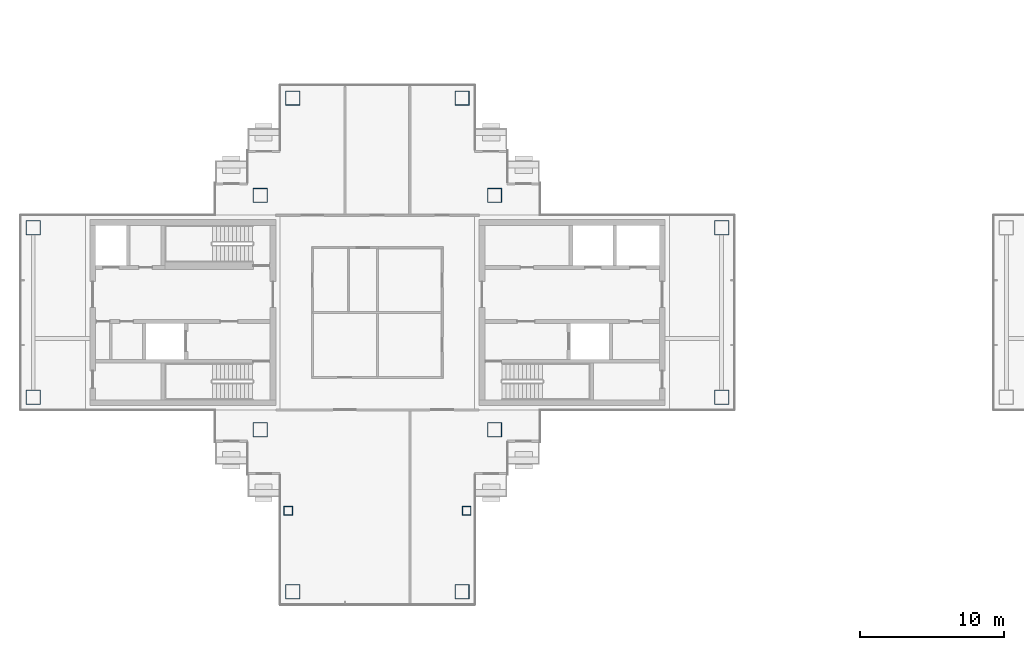
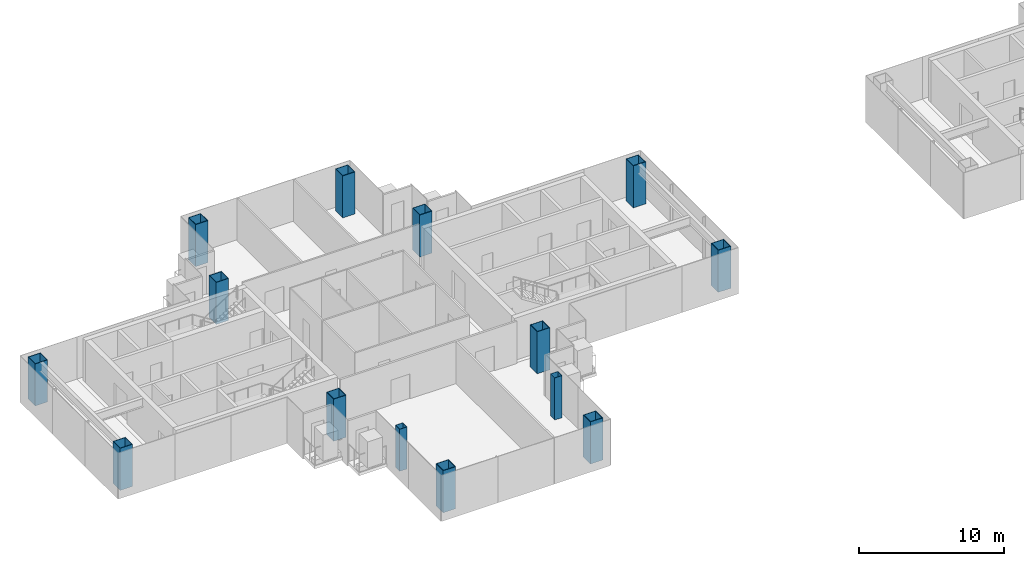
# One storey, part 1 of 15: 14 columns.
"""IFC4 building model written with IfcOpenShell, lengths in metres."""

from ifc_helpers import new_model, si_unit, direction, frame, origin, origin_2d, place, context, subcontext, project, spatial, hollow_rectangle, extrude, material, material_profile, profile_set, type_object, element, save


model = new_model("IFC4")

# Units and contexts
model_context = context("Model", 3, precision=1e-05, world=origin(), true_north=direction((0.0, 1.0)))
body_context = subcontext(model_context, "Body", "Model", "MODEL_VIEW")
ifc_project = project(units=[si_unit("LENGTHUNIT", "METRE"), si_unit("AREAUNIT", "SQUARE_METRE"), si_unit("VOLUMEUNIT", "CUBIC_METRE"), si_unit("PLANEANGLEUNIT", "RADIAN"), si_unit("MASSUNIT", "GRAM", prefix="KILO")], contexts=[model_context])

# Site, building, storey
site_placement = place(None, origin())
site = spatial("IfcSite", under=ifc_project, at=site_placement, CompositionType="ELEMENT")
building_placement = place(site_placement, origin())
building = spatial("IfcBuilding", under=site, at=building_placement, Name="Shamsa Quay Exchange Towers", CompositionType="ELEMENT")
storey_placement = place(building_placement, frame((0.0, 0.0, 206.10009765625)))
storey = spatial("IfcBuildingStorey", under=building, at=storey_placement, Name="L49", CompositionType="ELEMENT", Elevation=206.10009765625)

# Columns
ifc_material_1 = material(Name="Concrete-filled steel tube S355 / C80/95", Category="concrete")
ifc_material_profile_1 = material_profile(ifc_material_1, hollow_rectangle(XDim=1.0, YDim=1.0, WallThickness=0.0400390625, at=origin_2d()), Name="CFT 1000x1000x40")
ifc_profile_set_1 = profile_set([ifc_material_profile_1], Name="Concrete-filled steel tube S355 / C80/95")
column_type_1 = type_object("IfcColumnType", Name="Column CFT 1000x1000x40", PredefinedType="COLUMN", material=ifc_profile_set_1)
for number, where, name in (
    (1, (-25.625, 8.125, 0.0), "Mega column T1-CM01"),
    (2, (-25.625, -8.125, 0.0), "Mega column T1-CM02"),
    (3, (-41.875, 8.125, 0.0), "Mega column T1-CM03"),
    (4, (-41.875, -8.125, 0.0), "Mega column T1-CM04"),
    (5, (-9.875, -5.875, 0.0), "Mega column T1-CM05"),
    (6, (-9.875, 5.875, 0.0), "Mega column T1-CM07"),
    (7, (-57.625, -5.875, 0.0), "Mega column T1-CM09"),
    (8, (-57.625, 5.875, 0.0), "Mega column T1-CM11"),
    (9, (-39.625, 14.875, 0.0), "Mega column T1-CM13"),
    (10, (-27.875, 14.875, 0.0), "Mega column T1-CM16"),
    (11, (-39.625, -19.375, 0.0), "Mega column T1-CM20"),
    (12, (-27.875, -19.375, 0.0), "Mega column T1-CM23"),
):
    element("IfcColumn", number, at=place(storey_placement, frame(where)), inside=storey, type_object=column_type_1, Name=name, PredefinedType="COLUMN", context=body_context, shape_type="SweptSolid", body=[
        extrude(hollow_rectangle(XDim=1.0, YDim=1.0, WallThickness=0.0400390625, at=origin_2d()), origin(), (0.0, 0.0, 1.0), 3.5498046875),
    ])
ifc_material_2 = material(Name="Concrete-filled steel tube S355 / C60/75", Category="concrete")
ifc_material_profile_2 = material_profile(ifc_material_2, hollow_rectangle(XDim=0.60009765625, YDim=0.60009765625, WallThickness=0.02001953125, at=origin_2d()), Name="CFT 600x600x20")
ifc_profile_set_2 = profile_set([ifc_material_profile_2], Name="Concrete-filled steel tube S355 / C60/75")
column_type_2 = type_object("IfcColumnType", Name="Column CFT 600x600x20", PredefinedType="COLUMN", material=ifc_profile_set_2)
for number, where, name in (
    (13, (-39.9375, -13.75, 0.0), "Perimeter column T1-CP19"),
    (14, (-27.5625, -13.75, 0.0), "Perimeter column T1-CP22"),
):
    element("IfcColumn", number, at=place(storey_placement, frame(where)), inside=storey, type_object=column_type_2, Name=name, PredefinedType="COLUMN", context=body_context, shape_type="SweptSolid", body=[
        extrude(hollow_rectangle(XDim=0.60009765625, YDim=0.60009765625, WallThickness=0.02001953125, at=origin_2d()), origin(), (0.0, 0.0, 1.0), 3.5498046875),
    ])

save(model, "model.ifc")
